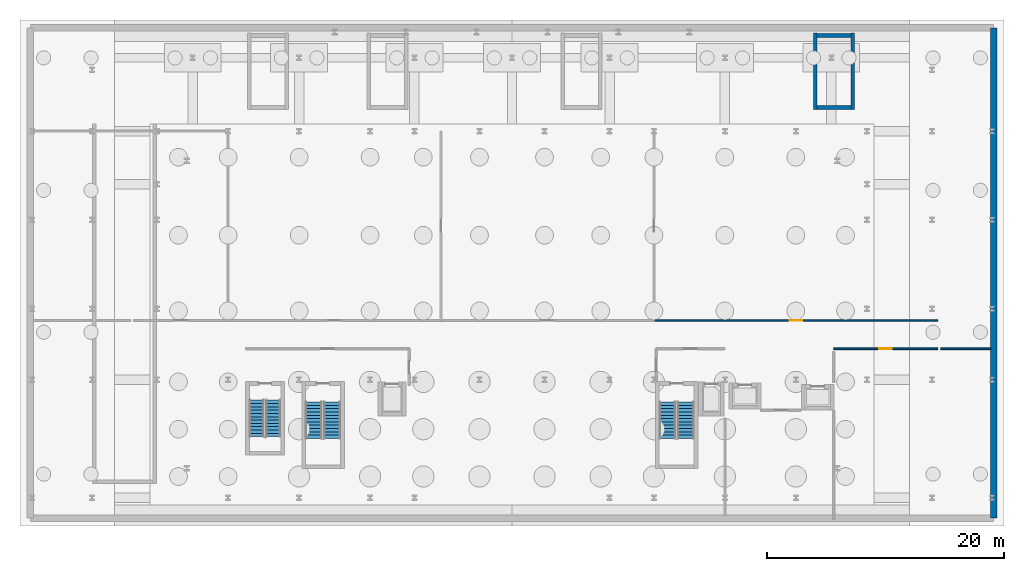
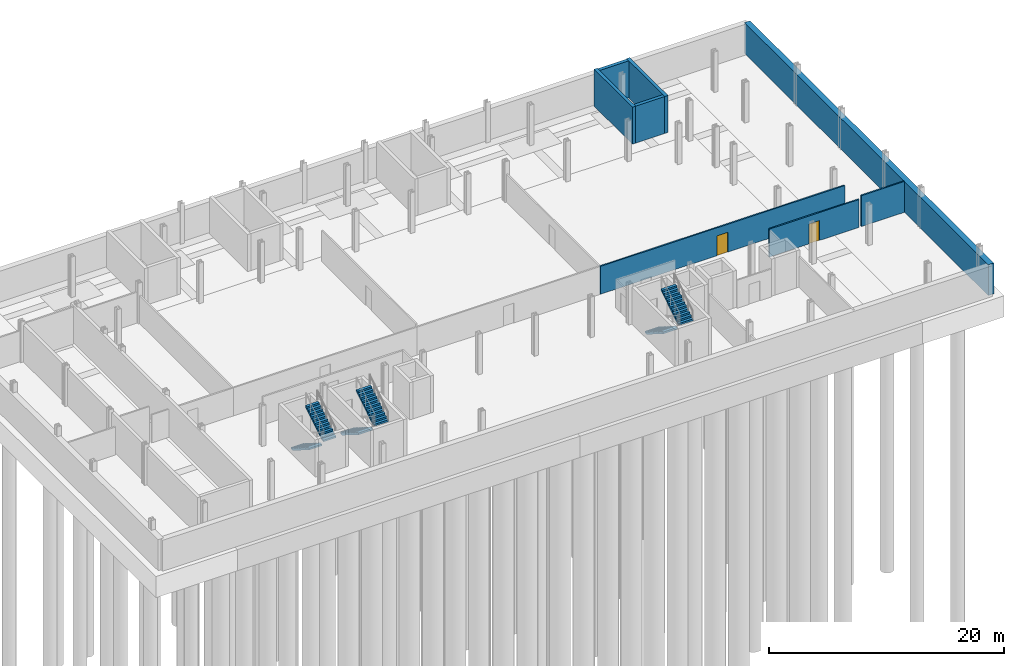
# One storey, part 4 of 7: 8 walls, 6 stair flights, 2 doors, 2 openings, 3 elements without a shape of their own.
"""IFC4 building model written with IfcOpenShell, lengths in metres."""

from ifc_helpers import new_model, si_unit, direction, frame, frame_2d, origin, place, context, subcontext, project, spatial, polyline, rectangle, outline, extrude, material, layer, layer_set, type_object, element, fill, aggregate, save


model = new_model("IFC4")

# Units and contexts
model_context = context("Model", 3, precision=1e-05, world=origin(), true_north=direction((0.0, 1.0)))
body_context = subcontext(model_context, "Body", "Model", "MODEL_VIEW")
ifc_project = project(units=[si_unit("LENGTHUNIT", "METRE"), si_unit("AREAUNIT", "SQUARE_METRE"), si_unit("VOLUMEUNIT", "CUBIC_METRE"), si_unit("PLANEANGLEUNIT", "RADIAN"), si_unit("MASSUNIT", "GRAM", prefix="KILO")], contexts=[model_context])

# Site, building, storey
site_placement = place(None, origin())
site = spatial("IfcSite", under=ifc_project, at=site_placement, CompositionType="ELEMENT")
building_placement = place(site_placement, origin())
building = spatial("IfcBuilding", under=site, at=building_placement, Name="Brevholm Reach", CompositionType="ELEMENT")
storey_placement = place(building_placement, frame((0.0, 0.0, -8.39990234375)))
storey = spatial("IfcBuildingStorey", under=building, at=storey_placement, Name="B02", CompositionType="ELEMENT", Elevation=-8.39990234375)

# Walls
ifc_material_1 = material(Name="Concrete C60/75", Category="concrete")
ifc_layer_1 = layer(ifc_material_1, 0.320068359375)
ifc_layer_set_1 = layer_set([ifc_layer_1], Name="Concrete C60/75")
wall_type_1 = type_object("IfcWallType", Name="WAL-COR-320", PredefinedType="SHEAR", material=ifc_layer_set_1)
for number, where, z_axis, x_axis, name in (
    (1, (55.639892578125, 32.830078125, 0.0), (0.0, 0.0, 1.0), (0.0, 1.0, 0.0), "B02 North Stair Plinth Shear Wall ST-S4-W"),
    (2, (58.81005859375, 32.830078125, 0.0), (0.0, 0.0, 1.0), (0.0, 1.0, 0.0), "B02 North Stair Plinth Shear Wall ST-S4-E"),
):
    element("IfcWall", number, at=place(storey_placement, frame(where, z_axis=z_axis, x_axis=x_axis)), inside=storey, type_object=wall_type_1, Name=name, PredefinedType="SHEAR", context=body_context, shape_type="SweptSolid", body=[
        extrude(rectangle(XDim=6.489990234375, YDim=0.320068359375, at=frame_2d((3.2451171875, 0.0))), origin(), (0.0, 0.0, 1.0), 3.83984375),
    ])
for number, where, z_axis, x_axis, name in (
    (3, (55.800048828125, 32.989990234375, 0.0), (0.0, 0.0, 1.0), (1.0, 0.0, 0.0), "B02 North Stair Plinth Shear Wall ST-S4-S"),
    (4, (55.800048828125, 39.090087890625, 0.0), (0.0, 0.0, 1.0), (1.0, 0.0, 0.0), "B02 North Stair Plinth Shear Wall ST-S4-N"),
):
    element("IfcWall", number, at=place(storey_placement, frame(where, z_axis=z_axis, x_axis=x_axis)), inside=storey, type_object=wall_type_1, Name=name, PredefinedType="SHEAR", context=body_context, shape_type="SweptSolid", body=[
        extrude(rectangle(XDim=2.849853515625, YDim=0.320068359375, at=frame_2d((1.4248046875, 0.0))), origin(), (0.0, 0.0, 1.0), 3.83984375),
    ])

# Wall, opening, door
ifc_material_2 = material(Name="Twin-Stud Acoustic Fire-Rated Gypsum Partition 140 mm", Category="gypsum")
ifc_layer_2 = layer(ifc_material_2, 0.139892578125)
ifc_layer_set_2 = layer_set([ifc_layer_2], Name="Twin-Stud Acoustic Fire-Rated Gypsum Partition 140 mm")
wall_type_2 = type_object("IfcWallType", Name="WAL-PRT-140", PredefinedType="PARTITIONING", material=ifc_layer_set_2)
wall_1_placement = place(storey_placement, frame((41.99267578125, 15.0, 0.0), z_axis=(0.0, 0.0, 1.0), x_axis=(1.0, 0.0, 0.0)))
wall_1 = element("IfcWall", 5, at=wall_1_placement, inside=storey, type_object=wall_type_2, Name="B02 Internal Partition 008", PredefinedType="PARTITIONING", context=body_context, shape_type="SweptSolid", body=[
    extrude(rectangle(XDim=24.00732421875, YDim=0.139892578125, at=frame_2d((12.003662109375, 0.0))), origin(), (0.0, 0.0, 1.0), 2.893798828125),
])
opening_1_placement = place(wall_1_placement, frame((11.478759765625, 0.0, 0.0)))
opening_1 = element("IfcOpeningElement", 6, at=opening_1_placement, cuts=wall_1, Name="Opening FD-01", PredefinedType="OPENING", context=body_context, shape_type="SweptSolid", body=[
    extrude(rectangle(XDim=1.050048828125, YDim=2.06005859375, at=frame_2d((0.52490234375, 1.030029296875))), frame((0.0, 0.079833984375, 0.0), z_axis=(0.0, -1.0, 0.0), x_axis=(1.0, 0.0, 0.0)), (0.0, 0.0, 1.0), 0.159912109375),
])
ifc_material_3 = material(Name="Hardwood-Lipped Steel-Core Fire and Smoke Door", Category="steel")
door_type = type_object("IfcDoorType", Name="DOR-INT-FD60S", OperationType="NOTDEFINED", PredefinedType="DOOR", material=ifc_material_3)
door_1_placement = place(opening_1_placement, origin())
door_1 = element("IfcDoor", 7, at=door_1_placement, inside=storey, type_object=door_type, Name="B02 Internal Door 008", OperationType="SINGLE_SWING_RIGHT", OverallHeight=2.06005859375, OverallWidth=1.050048828125, PredefinedType="DOOR", context=body_context, shape_type="SweptSolid", body=[
    extrude(rectangle(XDim=1.050048828125, YDim=2.06005859375, at=frame_2d((0.52490234375, 1.030029296875))), frame((0.0, 0.02490234375, 0.0), z_axis=(0.0, -1.0, 0.0), x_axis=(1.0, 0.0, 0.0)), (0.0, 0.0, 1.0), 0.050048828125),
])
fill(opening_1, door_1)

wall_2_placement = place(storey_placement, frame((57.188720703125, 12.60009765625, 0.0), z_axis=(0.0, 0.0, 1.0), x_axis=(1.0, 0.0, 0.0)))
wall_2 = element("IfcWall", 8, at=wall_2_placement, inside=storey, type_object=wall_type_2, Name="B02 Internal Partition 009", PredefinedType="PARTITIONING", context=body_context, shape_type="SweptSolid", body=[
    extrude(rectangle(XDim=8.811279296875, YDim=0.139892578125, at=frame_2d((4.40576171875, 0.0))), origin(), (0.0, 0.0, 1.0), 2.893798828125),
])
opening_2_placement = place(wall_2_placement, frame((3.880615234375, 0.0, 0.0)))
opening_2 = element("IfcOpeningElement", 9, at=opening_2_placement, cuts=wall_2, Name="Opening FD-01", PredefinedType="OPENING", context=body_context, shape_type="SweptSolid", body=[
    extrude(rectangle(XDim=1.050048828125, YDim=2.06005859375, at=frame_2d((0.52490234375, 1.030029296875))), frame((0.0, 0.079833984375, 0.0), z_axis=(0.0, -1.0, 0.0), x_axis=(1.0, 0.0, 0.0)), (0.0, 0.0, 1.0), 0.159912109375),
])
door_2_placement = place(opening_2_placement, origin())
door_2 = element("IfcDoor", 10, at=door_2_placement, inside=storey, type_object=door_type, Name="B02 Internal Door 009", OperationType="SINGLE_SWING_LEFT", OverallHeight=2.06005859375, OverallWidth=1.050048828125, PredefinedType="DOOR", context=body_context, shape_type="SweptSolid", body=[
    extrude(rectangle(XDim=1.050048828125, YDim=2.06005859375, at=frame_2d((0.52490234375, 1.030029296875))), frame((0.0, 0.02490234375, 0.0), z_axis=(0.0, -1.0, 0.0), x_axis=(1.0, 0.0, 0.0)), (0.0, 0.0, 1.0), 0.050048828125),
])
fill(opening_2, door_2)

# Walls
wall_3_placement = place(storey_placement, frame((66.239990234375, 12.60009765625, 0.0), z_axis=(0.0, 0.0, 1.0), x_axis=(1.0, 0.0, 0.0)))
element("IfcWall", 11, at=wall_3_placement, inside=storey, type_object=wall_type_2, Name="B02 Internal Partition 020", PredefinedType="PARTITIONING", context=body_context, shape_type="SweptSolid", body=[
    extrude(rectangle(XDim=4.2451171875, YDim=0.139892578125, at=frame_2d((2.12255859375, 0.0))), origin(), (0.0, 0.0, 1.0), 3.20263671875),
])
ifc_material_4 = material(Name="Concrete C50/60", Category="concrete")
ifc_layer_3 = layer(ifc_material_4, 0.550048828125)
ifc_layer_set_3 = layer_set([ifc_layer_3], Name="Concrete C50/60")
wall_type_3 = type_object("IfcWallType", Name="WAL-RET-550", PredefinedType="SHEAR", material=ifc_layer_set_3)
wall_4_placement = place(storey_placement, frame((70.72509765625, -1.72509765625, 0.0), z_axis=(0.0, 0.0, 1.0), x_axis=(0.0, 1.0, 0.0)))
element("IfcWall", 12, at=wall_4_placement, inside=storey, type_object=wall_type_3, Name="B02 Facade Wall WAL-B02-RET-2", PredefinedType="SHEAR", context=body_context, shape_type="SweptSolid", body=[
    extrude(rectangle(XDim=41.4501953125, YDim=0.550048828125, at=frame_2d((20.72509765625, 0.0))), origin(), (0.0, 0.0, 1.0), 3.199951171875),
])

# Stair, stair flights
ifc_material_5 = material(Name="Precast Concrete C40/50", Category="concrete")
stair_type_1 = type_object("IfcStairType", Name="STR-ESC-1250", PredefinedType="DOUBLE_RETURN_STAIR", material=ifc_material_5)
stair_1_placement = place(storey_placement, origin())
stair_1 = element("IfcStair", 13, at=stair_1_placement, inside=storey, type_object=stair_type_1, Name="B02 ST-B1", PredefinedType="DOUBLE_RETURN_STAIR")
ifc_material_6 = material(Name="Precast Concrete C40/50", Category="concrete")
ifc_layer_4 = layer(ifc_material_6, 0.1650390625)
ifc_layer_set_4 = layer_set([ifc_layer_4], Name="Precast Concrete C40/50")
stair_flight_type_1 = type_object("IfcStairFlightType", Name="STF-PRC-165", PredefinedType="STRAIGHT", material=ifc_layer_set_4)
stair_flight_1_placement = place(storey_placement, frame((8.425048828125, 8.25, 0.0), z_axis=(0.0, 0.0, 1.0), x_axis=(0.0, -1.0, 0.0)))
stair_flight_1 = element("IfcStairFlight", 14, at=stair_flight_1_placement, type_object=stair_flight_type_1, Name="ST-B1 flight 1", NumberOfRisers=12, NumberOfTreads=11, PredefinedType="STRAIGHT", RiserHeight=0.175, TreadLength=0.28, context=body_context, shape_type="SweptSolid", body=[
    extrude(outline(polyline([(0.0, 0.0), (0.0, 0.175048828125), (0.280029296875, 0.175048828125), (0.280029296875, 0.35009765625), (0.56005859375, 0.35009765625), (0.56005859375, 0.52490234375), (0.840087890625, 0.52490234375), (0.840087890625, 0.699951171875), (1.1201171875, 0.699951171875), (1.1201171875, 0.875), (1.39990234375, 0.875), (1.39990234375, 1.050048828125), (1.679931640625, 1.050048828125), (1.679931640625, 1.22509765625), (1.9599609375, 1.22509765625), (1.9599609375, 1.39990234375), (2.239990234375, 1.39990234375), (2.239990234375, 1.574951171875), (2.52001953125, 1.574951171875), (2.52001953125, 1.75), (2.800048828125, 1.75), (2.800048828125, 1.925048828125), (3.080078125, 1.925048828125), (3.080078125, 2.10009765625), (3.080078125, 1.748291015625), (0.28271484375, 0.0), (0.0, 0.0)])), frame((0.0, 0.625, 0.0), z_axis=(0.0, -1.0, 0.0), x_axis=(1.0, 0.0, 0.0)), (0.0, 0.0, 1.0), 1.25),
])
stair_flight_2_placement = place(storey_placement, frame((9.824951171875, 5.169921875, 2.099853515625), z_axis=(0.0, 0.0, 1.0), x_axis=(0.0, 1.0, 0.0)))
stair_flight_2 = element("IfcStairFlight", 15, at=stair_flight_2_placement, type_object=stair_flight_type_1, Name="ST-B1 flight 2", NumberOfRisers=12, NumberOfTreads=11, PredefinedType="STRAIGHT", RiserHeight=0.175, TreadLength=0.28, context=body_context, shape_type="SweptSolid", body=[
    extrude(outline(polyline([(0.0, 0.0), (0.0, 0.175048828125), (0.280029296875, 0.175048828125), (0.280029296875, 0.35009765625), (0.56005859375, 0.35009765625), (0.56005859375, 0.52490234375), (0.840087890625, 0.52490234375), (0.840087890625, 0.699951171875), (1.1201171875, 0.699951171875), (1.1201171875, 0.875), (1.39990234375, 0.875), (1.39990234375, 1.050048828125), (1.679931640625, 1.050048828125), (1.679931640625, 1.22509765625), (1.9599609375, 1.22509765625), (1.9599609375, 1.39990234375), (2.239990234375, 1.39990234375), (2.239990234375, 1.574951171875), (2.52001953125, 1.574951171875), (2.52001953125, 1.75), (2.800048828125, 1.75), (2.800048828125, 1.925048828125), (3.080078125, 1.925048828125), (3.080078125, 2.10009765625), (3.080078125, 1.748291015625), (0.28271484375, 0.0), (0.0, 0.0)])), frame((0.0, 0.625, 0.0), z_axis=(0.0, -1.0, 0.0), x_axis=(1.0, 0.0, 0.0)), (0.0, 0.0, 1.0), 1.25),
])
aggregate(stair_1, [stair_flight_1, stair_flight_2])

ifc_material_7 = material(Name="Precast Concrete C40/50", Category="concrete")
stair_type_2 = type_object("IfcStairType", Name="STR-ESC-1400", PredefinedType="DOUBLE_RETURN_STAIR", material=ifc_material_7)
stair_2_placement = place(storey_placement, origin())
stair_2 = element("IfcStair", 16, at=stair_2_placement, inside=storey, type_object=stair_type_2, Name="B02 ST-1", PredefinedType="DOUBLE_RETURN_STAIR")
ifc_material_8 = material(Name="Precast Concrete C40/50", Category="concrete")
ifc_layer_5 = layer(ifc_material_8, 0.18505859375)
ifc_layer_set_5 = layer_set([ifc_layer_5], Name="Precast Concrete C40/50")
stair_flight_type_2 = type_object("IfcStairFlightType", Name="STF-PRC-185", PredefinedType="STRAIGHT", material=ifc_layer_set_5)
stair_flight_3_placement = place(storey_placement, frame((13.25, 8.10009765625, 0.0), z_axis=(0.0, 0.0, 1.0), x_axis=(0.0, -1.0, 0.0)))
stair_flight_3 = element("IfcStairFlight", 17, at=stair_flight_3_placement, type_object=stair_flight_type_2, Name="ST-1 flight 1", NumberOfRisers=12, NumberOfTreads=11, PredefinedType="STRAIGHT", RiserHeight=0.175, TreadLength=0.28, context=body_context, shape_type="SweptSolid", body=[
    extrude(outline(polyline([(0.0, 0.0), (0.0, 0.175048828125), (0.280029296875, 0.175048828125), (0.280029296875, 0.35009765625), (0.56005859375, 0.35009765625), (0.56005859375, 0.52490234375), (0.840087890625, 0.52490234375), (0.840087890625, 0.699951171875), (1.1201171875, 0.699951171875), (1.1201171875, 0.875), (1.39990234375, 0.875), (1.39990234375, 1.050048828125), (1.679931640625, 1.050048828125), (1.679931640625, 1.22509765625), (1.9599609375, 1.22509765625), (1.9599609375, 1.39990234375), (2.239990234375, 1.39990234375), (2.239990234375, 1.574951171875), (2.52001953125, 1.574951171875), (2.52001953125, 1.75), (2.800048828125, 1.75), (2.800048828125, 1.925048828125), (3.080078125, 1.925048828125), (3.080078125, 2.10009765625), (3.080078125, 1.748291015625), (0.28271484375, 0.0), (0.0, 0.0)])), frame((0.0, 0.699951171875, 0.0), z_axis=(0.0, -1.0, 0.0), x_axis=(1.0, 0.0, 0.0)), (0.0, 0.0, 1.0), 1.39990234375),
])
stair_flight_4_placement = place(storey_placement, frame((14.800048828125, 5.02001953125, 2.099853515625), z_axis=(0.0, 0.0, 1.0), x_axis=(0.0, 1.0, 0.0)))
stair_flight_4 = element("IfcStairFlight", 18, at=stair_flight_4_placement, type_object=stair_flight_type_2, Name="ST-1 flight 2", NumberOfRisers=12, NumberOfTreads=11, PredefinedType="STRAIGHT", RiserHeight=0.175, TreadLength=0.28, context=body_context, shape_type="SweptSolid", body=[
    extrude(outline(polyline([(0.0, 0.0), (0.0, 0.175048828125), (0.280029296875, 0.175048828125), (0.280029296875, 0.35009765625), (0.56005859375, 0.35009765625), (0.56005859375, 0.52490234375), (0.840087890625, 0.52490234375), (0.840087890625, 0.699951171875), (1.1201171875, 0.699951171875), (1.1201171875, 0.875), (1.39990234375, 0.875), (1.39990234375, 1.050048828125), (1.679931640625, 1.050048828125), (1.679931640625, 1.22509765625), (1.9599609375, 1.22509765625), (1.9599609375, 1.39990234375), (2.239990234375, 1.39990234375), (2.239990234375, 1.574951171875), (2.52001953125, 1.574951171875), (2.52001953125, 1.75), (2.800048828125, 1.75), (2.800048828125, 1.925048828125), (3.080078125, 1.925048828125), (3.080078125, 2.10009765625), (3.080078125, 1.748291015625), (0.28271484375, 0.0), (0.0, 0.0)])), frame((0.0, 0.699951171875, 0.0), z_axis=(0.0, -1.0, 0.0), x_axis=(1.0, 0.0, 0.0)), (0.0, 0.0, 1.0), 1.39990234375),
])
aggregate(stair_2, [stair_flight_3, stair_flight_4])

stair_3_placement = place(storey_placement, origin())
stair_3 = element("IfcStair", 19, at=stair_3_placement, inside=storey, type_object=stair_type_2, Name="B02 ST-2", PredefinedType="DOUBLE_RETURN_STAIR")
stair_flight_5_placement = place(storey_placement, frame((43.14990234375, 8.10009765625, 0.0), z_axis=(0.0, 0.0, 1.0), x_axis=(0.0, -1.0, 0.0)))
stair_flight_5 = element("IfcStairFlight", 20, at=stair_flight_5_placement, type_object=stair_flight_type_2, Name="ST-2 flight 1", NumberOfRisers=12, NumberOfTreads=11, PredefinedType="STRAIGHT", RiserHeight=0.175, TreadLength=0.28, context=body_context, shape_type="SweptSolid", body=[
    extrude(outline(polyline([(0.0, 0.0), (0.0, 0.175048828125), (0.280029296875, 0.175048828125), (0.280029296875, 0.35009765625), (0.56005859375, 0.35009765625), (0.56005859375, 0.52490234375), (0.840087890625, 0.52490234375), (0.840087890625, 0.699951171875), (1.1201171875, 0.699951171875), (1.1201171875, 0.875), (1.39990234375, 0.875), (1.39990234375, 1.050048828125), (1.679931640625, 1.050048828125), (1.679931640625, 1.22509765625), (1.9599609375, 1.22509765625), (1.9599609375, 1.39990234375), (2.239990234375, 1.39990234375), (2.239990234375, 1.574951171875), (2.52001953125, 1.574951171875), (2.52001953125, 1.75), (2.800048828125, 1.75), (2.800048828125, 1.925048828125), (3.080078125, 1.925048828125), (3.080078125, 2.10009765625), (3.080078125, 1.748291015625), (0.28271484375, 0.0), (0.0, 0.0)])), frame((0.0, 0.699951171875, 0.0), z_axis=(0.0, -1.0, 0.0), x_axis=(1.0, 0.0, 0.0)), (0.0, 0.0, 1.0), 1.39990234375),
])
stair_flight_6_placement = place(storey_placement, frame((44.699951171875, 5.02001953125, 2.099853515625), z_axis=(0.0, 0.0, 1.0), x_axis=(0.0, 1.0, 0.0)))
stair_flight_6 = element("IfcStairFlight", 21, at=stair_flight_6_placement, type_object=stair_flight_type_2, Name="ST-2 flight 2", NumberOfRisers=12, NumberOfTreads=11, PredefinedType="STRAIGHT", RiserHeight=0.175, TreadLength=0.28, context=body_context, shape_type="SweptSolid", body=[
    extrude(outline(polyline([(0.0, 0.0), (0.0, 0.175048828125), (0.280029296875, 0.175048828125), (0.280029296875, 0.35009765625), (0.56005859375, 0.35009765625), (0.56005859375, 0.52490234375), (0.840087890625, 0.52490234375), (0.840087890625, 0.699951171875), (1.1201171875, 0.699951171875), (1.1201171875, 0.875), (1.39990234375, 0.875), (1.39990234375, 1.050048828125), (1.679931640625, 1.050048828125), (1.679931640625, 1.22509765625), (1.9599609375, 1.22509765625), (1.9599609375, 1.39990234375), (2.239990234375, 1.39990234375), (2.239990234375, 1.574951171875), (2.52001953125, 1.574951171875), (2.52001953125, 1.75), (2.800048828125, 1.75), (2.800048828125, 1.925048828125), (3.080078125, 1.925048828125), (3.080078125, 2.10009765625), (3.080078125, 1.748291015625), (0.28271484375, 0.0), (0.0, 0.0)])), frame((0.0, 0.699951171875, 0.0), z_axis=(0.0, -1.0, 0.0), x_axis=(1.0, 0.0, 0.0)), (0.0, 0.0, 1.0), 1.39990234375),
])
aggregate(stair_3, [stair_flight_5, stair_flight_6])

save(model, "model.ifc")
